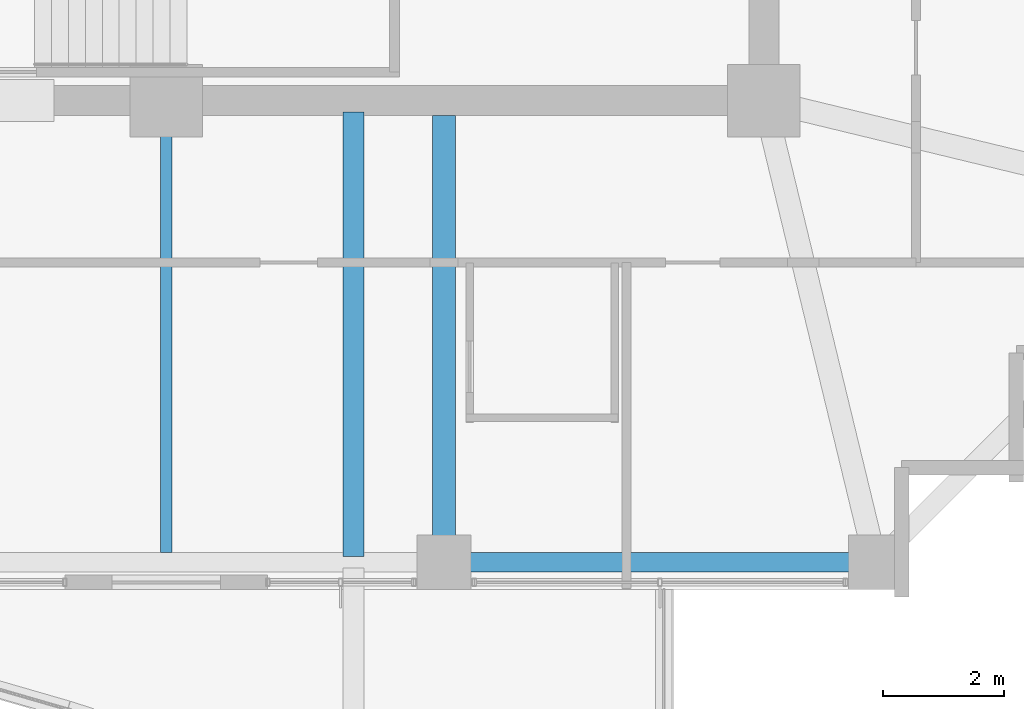
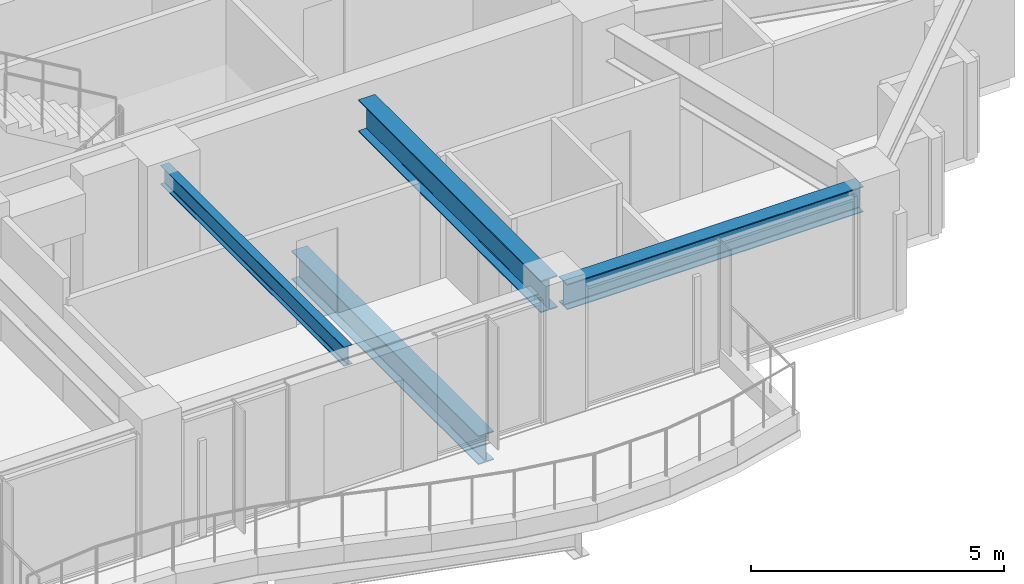
# One storey, part 7 of 31: 4 beams.
"""IFC4 building model written with IfcOpenShell, lengths in metres."""

from ifc_helpers import new_model, si_unit, direction, frame, origin, origin_2d, place, context, subcontext, project, spatial, i_section, extrude, material, material_profile, profile_set, type_object, element, save


model = new_model("IFC4")

# Units and contexts
model_context = context("Model", 3, precision=1e-05, world=origin(), true_north=direction((0.0, 1.0)))
body_context = subcontext(model_context, "Body", "Model", "MODEL_VIEW")
ifc_project = project(units=[si_unit("LENGTHUNIT", "METRE"), si_unit("AREAUNIT", "SQUARE_METRE"), si_unit("VOLUMEUNIT", "CUBIC_METRE"), si_unit("PLANEANGLEUNIT", "RADIAN"), si_unit("MASSUNIT", "GRAM", prefix="KILO")], contexts=[model_context])

# Site, building, storey
site_placement = place(None, origin())
site = spatial("IfcSite", under=ifc_project, at=site_placement, CompositionType="ELEMENT")
building_placement = place(site_placement, origin())
building = spatial("IfcBuilding", under=site, at=building_placement, Name="Kolvaren Belvedere", CompositionType="ELEMENT")
storey_placement = place(building_placement, frame((0.0, 0.0, 144.800048828125)))
storey = spatial("IfcBuildingStorey", under=building, at=storey_placement, Name="L42", CompositionType="ELEMENT", Elevation=144.800048828125)

# Beams
ifc_material_1 = material(Name="Structural steel ASTM A992 Grade 50", Category="steel")
ifc_material_profile_1 = material_profile(ifc_material_1, i_section(OverallWidth=0.35498046875, OverallDepth=0.696044921875, WebThickness=0.015380859375, FlangeThickness=0.02490234375, FilletRadius=0.02197265625, at=origin_2d()), Name="W27X146")
ifc_profile_set_1 = profile_set([ifc_material_profile_1], Name="Structural steel ASTM A992 Grade 50")
beam_type_1 = type_object("IfcBeamType", Name="BM-GIRD-W27X146", PredefinedType="BEAM", material=ifc_profile_set_1)
beam_1_placement = place(storey_placement, frame((3.10009765625, -10.090087890625, -0.548095703125), z_axis=(0.0, -1.0, 0.0), x_axis=(1.0, 0.0, 0.0)))
element("IfcBeam", 1, at=beam_1_placement, inside=storey, type_object=beam_type_1, Name="L42 Balcony Interior Back-Span Girder BAL-S-2", PredefinedType="BEAM", context=body_context, shape_type="SweptSolid", body=[
    extrude(i_section(OverallWidth=0.35498046875, OverallDepth=0.696044921875, WebThickness=0.015380859375, FlangeThickness=0.02490234375, FilletRadius=0.02197265625, at=origin_2d()), origin(), (0.0, 0.0, 1.0), 7.364990234375),
])
ifc_material_2 = material(Name="Structural steel ASTM A992 Grade 50", Category="steel")
ifc_material_profile_2 = material_profile(ifc_material_2, i_section(OverallWidth=0.381103515625, OverallDepth=0.77294921875, WebThickness=0.0166015625, FlangeThickness=0.027099609375, FilletRadius=0.02392578125, at=origin_2d()), Name="W30X173")
ifc_profile_set_2 = profile_set([ifc_material_profile_2], Name="Structural steel ASTM A992 Grade 50")
beam_type_2 = type_object("IfcBeamType", Name="BM-GIRD-W30X173", PredefinedType="BEAM", material=ifc_profile_set_2)
beam_2_placement = place(storey_placement, frame((4.60009765625, -10.14990234375, 2.5634765625), z_axis=(0.0, -1.0, 0.0), x_axis=(1.0, 0.0, 0.0)))
element("IfcBeam", 2, at=beam_2_placement, inside=storey, type_object=beam_type_2, Name="L42 South Radial Girder P", PredefinedType="BEAM", context=body_context, shape_type="SweptSolid", body=[
    extrude(i_section(OverallWidth=0.381103515625, OverallDepth=0.77294921875, WebThickness=0.0166015625, FlangeThickness=0.027099609375, FilletRadius=0.02392578125, at=origin_2d()), origin(), (0.0, 0.0, 1.0), 7.197509765625),
])
ifc_material_3 = material(Name="Structural steel ASTM A992 Grade 50", Category="steel")
ifc_material_profile_3 = material_profile(ifc_material_3, i_section(OverallWidth=0.19091796875, OverallDepth=0.4599609375, WebThickness=0.010009765625, FlangeThickness=0.01611328125, FilletRadius=0.014892578125, at=origin_2d()), Name="W18X55")
ifc_profile_set_3 = profile_set([ifc_material_profile_3], Name="Structural steel ASTM A992 Grade 50")
beam_type_3 = type_object("IfcBeamType", Name="BM-JOIST-W18X55", PredefinedType="BEAM", material=ifc_profile_set_3)
beam_3_placement = place(storey_placement, frame((0.0, -10.14990234375, 2.719970703125), z_axis=(0.0, -1.0, 0.0), x_axis=(1.0, 0.0, 0.0)))
element("IfcBeam", 3, at=beam_3_placement, inside=storey, type_object=beam_type_3, Name="L42 South Centre Floor Beam", PredefinedType="BEAM", context=body_context, shape_type="SweptSolid", body=[
    extrude(i_section(OverallWidth=0.19091796875, OverallDepth=0.4599609375, WebThickness=0.010009765625, FlangeThickness=0.01611328125, FilletRadius=0.014892578125, at=origin_2d()), origin(), (0.0, 0.0, 1.0), 7.237548828125),
])
ifc_material_4 = material(Name="Structural steel ASTM A992 Grade 50", Category="steel")
ifc_material_profile_4 = material_profile(ifc_material_4, i_section(OverallWidth=0.324951171875, OverallDepth=0.615966796875, WebThickness=0.013916015625, FlangeThickness=0.021484375, FilletRadius=0.02001953125, at=origin_2d()), Name="W24X117")
ifc_profile_set_4 = profile_set([ifc_material_profile_4], Name="Structural steel ASTM A992 Grade 50")
beam_type_4 = type_object("IfcBeamType", Name="BM-SPAN-W24X117", PredefinedType="SPANDREL", material=ifc_profile_set_4)
beam_4_placement = place(storey_placement, frame((4.802490234375, -17.550048828125, 2.641845703125), z_axis=(1.0, 0.0, 0.0), x_axis=(0.0, 1.0, 0.0)))
element("IfcBeam", 4, at=beam_4_placement, inside=storey, type_object=beam_type_4, Name="L42 Perimeter Spandrel S3-S4", PredefinedType="SPANDREL", context=body_context, shape_type="SweptSolid", body=[
    extrude(i_section(OverallWidth=0.324951171875, OverallDepth=0.615966796875, WebThickness=0.013916015625, FlangeThickness=0.021484375, FilletRadius=0.02001953125, at=origin_2d()), origin(), (0.0, 0.0, 1.0), 6.7451171875),
])

save(model, "model.ifc")
